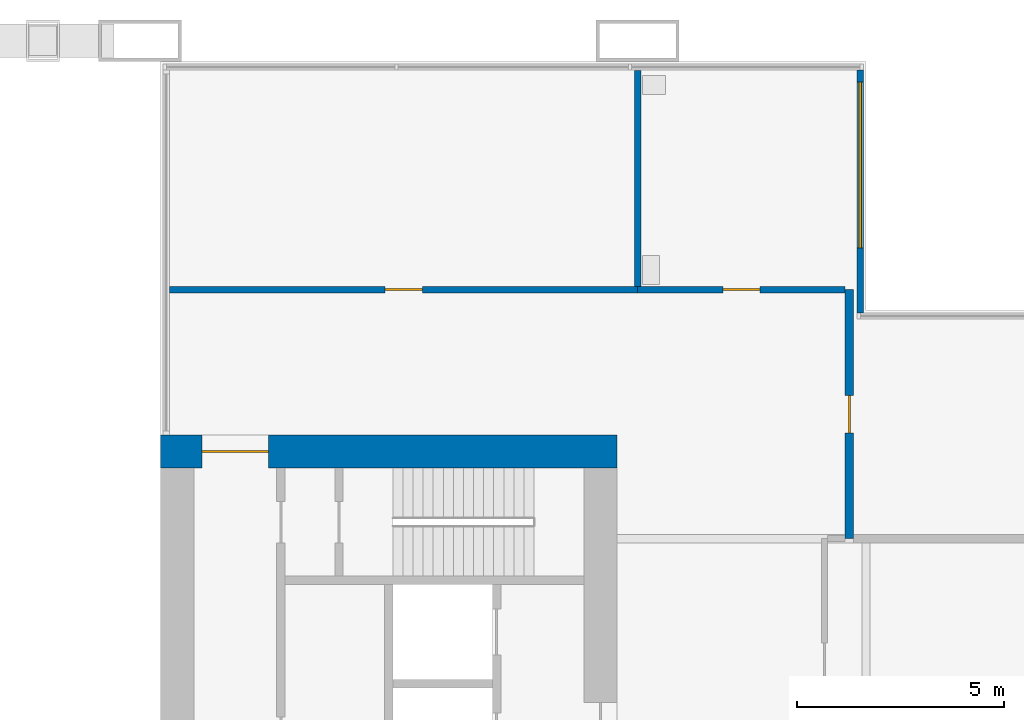
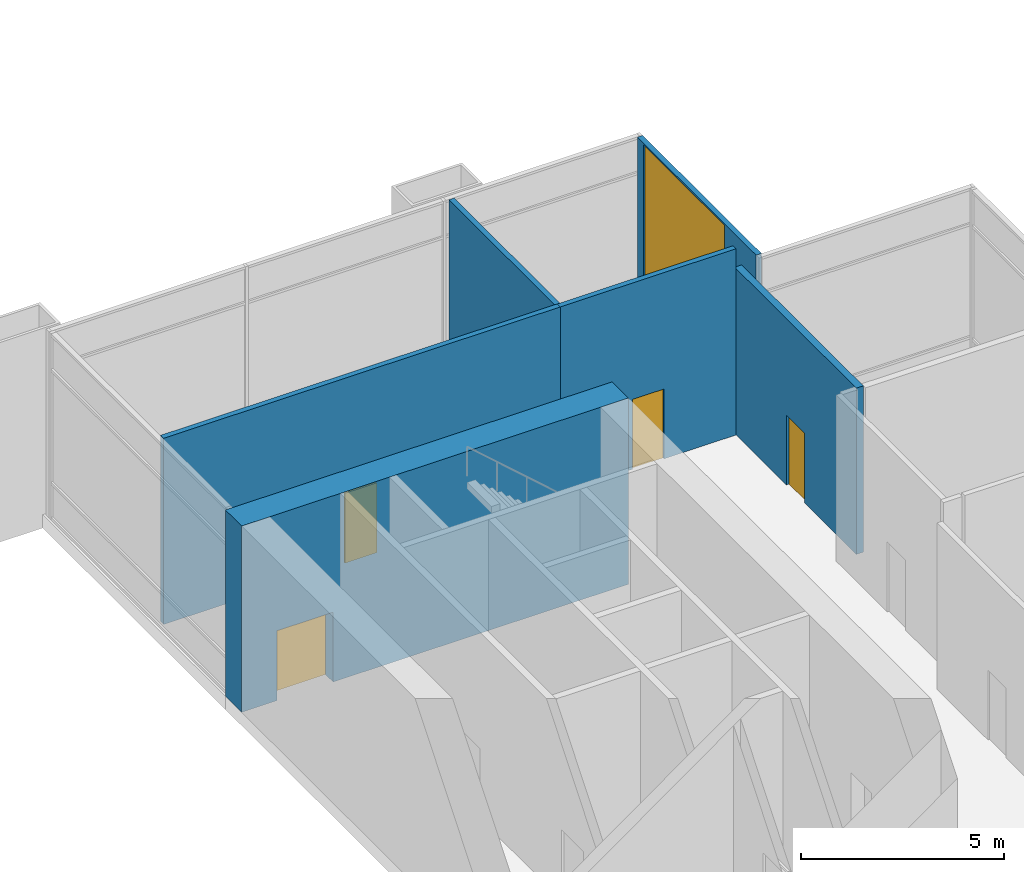
# One storey, part 27 of 30: 6 walls, 4 doors, 1 window, 5 openings.
"""IFC4 building model written with IfcOpenShell, lengths in metres."""

from ifc_helpers import new_model, si_unit, direction, frame, frame_2d, origin, place, context, subcontext, project, spatial, rectangle, extrude, material, layer, layer_set, type_object, element, fill, save


model = new_model("IFC4")

# Units and contexts
model_context = context("Model", 3, precision=1e-05, world=origin(), true_north=direction((0.0, 1.0)))
body_context = subcontext(model_context, "Body", "Model", "MODEL_VIEW")
ifc_project = project(units=[si_unit("LENGTHUNIT", "METRE"), si_unit("AREAUNIT", "SQUARE_METRE"), si_unit("VOLUMEUNIT", "CUBIC_METRE"), si_unit("PLANEANGLEUNIT", "RADIAN"), si_unit("MASSUNIT", "GRAM", prefix="KILO")], contexts=[model_context])

# Site, building, storey
site_placement = place(None, origin())
site = spatial("IfcSite", under=ifc_project, at=site_placement, CompositionType="ELEMENT")
building_placement = place(site_placement, origin())
building = spatial("IfcBuilding", under=site, at=building_placement, Name="Kitamizu Gate Tower and Museum", CompositionType="ELEMENT")
storey_placement = place(building_placement, frame((0.0, 0.0, 6.0)))
storey = spatial("IfcBuildingStorey", under=building, at=storey_placement, Name="L01", CompositionType="ELEMENT", Elevation=6.0)

# Wall, opening, door
ifc_material_1 = material(Name="Concrete Fc60", Category="concrete")
ifc_layer_1 = layer(ifc_material_1, 0.800048828125)
ifc_layer_set_1 = layer_set([ifc_layer_1], Name="Concrete Fc60")
wall_type_1 = type_object("IfcWallType", Name="Core wall 800", PredefinedType="SHEAR", material=ifc_layer_set_1)
wall_1_placement = place(storey_placement, frame((59.5, 38.10009765625, 0.0), z_axis=(0.0, 0.0, 1.0), x_axis=(-1.0, 0.0, 0.0)))
wall_1 = element("IfcWall", 1, at=wall_1_placement, inside=storey, type_object=wall_type_1, Name="Core wall EN", PredefinedType="SHEAR", context=body_context, shape_type="SweptSolid", body=[
    extrude(rectangle(XDim=11.0, YDim=0.800048828125, at=frame_2d((5.5, 0.0))), origin(), (0.0, 0.0, 1.0), 5.60009765625),
])
opening_1_placement = place(wall_1_placement, frame((8.39990234375, 0.0, 0.0)))
opening_1 = element("IfcOpeningElement", 2, at=opening_1_placement, cuts=wall_1, Name="Opening L01-035", PredefinedType="OPENING", context=body_context, shape_type="SweptSolid", body=[
    extrude(rectangle(XDim=1.60009765625, YDim=2.10009765625, at=frame_2d((0.800048828125, 1.050048828125))), frame((0.0, 0.41015625, 0.0), z_axis=(0.0, -1.0, 0.0), x_axis=(1.0, 0.0, 0.0)), (0.0, 0.0, 1.0), 0.820068359375),
])
ifc_material_2 = material(Name="Timber door set", Category="wood")
door_type_1 = type_object("IfcDoorType", Name="Entrance door 1600", OperationType="DOUBLE_DOOR_SINGLE_SWING", PredefinedType="DOOR", material=ifc_material_2)
door_1_placement = place(opening_1_placement, origin())
door_1 = element("IfcDoor", 3, at=door_1_placement, inside=storey, type_object=door_type_1, Name="Lobby door L01-035", OperationType="DOUBLE_DOOR_SINGLE_SWING", OverallHeight=2.10009765625, OverallWidth=1.60009765625, PredefinedType="DOOR", context=body_context, shape_type="SweptSolid", body=[
    extrude(rectangle(XDim=1.60009765625, YDim=2.10009765625, at=frame_2d((0.800048828125, 1.050048828125))), frame((0.0, 0.02490234375, 0.0), z_axis=(0.0, -1.0, 0.0), x_axis=(1.0, 0.0, 0.0)), (0.0, 0.0, 1.0), 0.050048828125),
])
fill(opening_1, door_1)

ifc_material_3 = material(Name="Gypsum board on galvanised stud")
ifc_layer_2 = layer(ifc_material_3, 0.14990234375)
ifc_layer_set_2 = layer_set([ifc_layer_2], Name="Gypsum board on galvanised stud")
wall_type_2 = type_object("IfcWallType", Name="Partition 150", PredefinedType="PARTITIONING", material=ifc_layer_set_2)
wall_2_placement = place(storey_placement, frame((60.0, 42.0, 0.0), z_axis=(0.0, 0.0, 1.0), x_axis=(-1.0, 0.0, 0.0)))
wall_2 = element("IfcWall", 4, at=wall_2_placement, inside=storey, type_object=wall_type_2, Name="Partition L01-022", PredefinedType="PARTITIONING", context=body_context, shape_type="SweptSolid", body=[
    extrude(rectangle(XDim=11.280029296875, YDim=0.14990234375, at=frame_2d((5.64013671875, 0.0))), origin(), (0.0, 0.0, 1.0), 5.60009765625),
])
opening_2_placement = place(wall_2_placement, frame((5.18994140625, 0.0, 0.0)))
opening_2 = element("IfcOpeningElement", 5, at=opening_2_placement, cuts=wall_2, Name="Opening L01-008", PredefinedType="OPENING", context=body_context, shape_type="SweptSolid", body=[
    extrude(rectangle(XDim=0.89990234375, YDim=2.10009765625, at=frame_2d((0.449951171875, 1.050048828125))), frame((0.0, 0.0849609375, 0.0), z_axis=(0.0, -1.0, 0.0), x_axis=(1.0, 0.0, 0.0)), (0.0, 0.0, 1.0), 0.169921875),
])
ifc_material_4 = material(Name="Timber door set", Category="wood")
door_type_2 = type_object("IfcDoorType", Name="Room door 900", OperationType="NOTDEFINED", PredefinedType="DOOR", material=ifc_material_4)
door_2_placement = place(opening_2_placement, frame((0.89990234375, 0.0, 0.0), x_axis=(-1.0, 0.0, 0.0)))
door_2 = element("IfcDoor", 6, at=door_2_placement, inside=storey, type_object=door_type_2, Name="Door L01-008", OperationType="SINGLE_SWING_RIGHT", OverallHeight=2.10009765625, OverallWidth=0.89990234375, PredefinedType="DOOR", context=body_context, shape_type="SweptSolid", body=[
    extrude(rectangle(XDim=0.89990234375, YDim=2.10009765625, at=frame_2d((0.449951171875, 1.050048828125))), frame((0.0, 0.02490234375, 0.0), z_axis=(0.0, -1.0, 0.0), x_axis=(1.0, 0.0, 0.0)), (0.0, 0.0, 1.0), 0.050048828125),
])
fill(opening_2, door_2)

wall_3_placement = place(storey_placement, frame((65.0, 42.0, 0.0), z_axis=(0.0, 0.0, 1.0), x_axis=(-1.0, 0.0, 0.0)))
wall_3 = element("IfcWall", 7, at=wall_3_placement, inside=storey, type_object=wall_type_2, Name="Partition L01-023", PredefinedType="PARTITIONING", context=body_context, shape_type="SweptSolid", body=[
    extrude(rectangle(XDim=5.0, YDim=0.14990234375, at=frame_2d((2.5, 0.0))), origin(), (0.0, 0.0, 1.0), 5.60009765625),
])
opening_3_placement = place(wall_3_placement, frame((2.050048828125, 0.0, 0.0)))
opening_3 = element("IfcOpeningElement", 8, at=opening_3_placement, cuts=wall_3, Name="Opening L01-009", PredefinedType="OPENING", context=body_context, shape_type="SweptSolid", body=[
    extrude(rectangle(XDim=0.89990234375, YDim=2.10009765625, at=frame_2d((0.449951171875, 1.050048828125))), frame((0.0, 0.0849609375, 0.0), z_axis=(0.0, -1.0, 0.0), x_axis=(1.0, 0.0, 0.0)), (0.0, 0.0, 1.0), 0.169921875),
])
door_3_placement = place(opening_3_placement, frame((0.89990234375, 0.0, 0.0), x_axis=(-1.0, 0.0, 0.0)))
door_3 = element("IfcDoor", 9, at=door_3_placement, inside=storey, type_object=door_type_2, Name="Door L01-009", OperationType="SINGLE_SWING_LEFT", OverallHeight=2.10009765625, OverallWidth=0.89990234375, PredefinedType="DOOR", context=body_context, shape_type="SweptSolid", body=[
    extrude(rectangle(XDim=0.89990234375, YDim=2.10009765625, at=frame_2d((0.449951171875, 1.050048828125))), frame((0.0, 0.02490234375, 0.0), z_axis=(0.0, -1.0, 0.0), x_axis=(1.0, 0.0, 0.0)), (0.0, 0.0, 1.0), 0.050048828125),
])
fill(opening_3, door_3)

# Wall
wall_4_placement = place(storey_placement, frame((60.0, 42.074951171875, 0.0), z_axis=(0.0, 0.0, 1.0), x_axis=(0.0, 1.0, 0.0)))
element("IfcWall", 10, at=wall_4_placement, inside=storey, type_object=wall_type_2, Name="Partition L01-033", PredefinedType="PARTITIONING", context=body_context, shape_type="SweptSolid", body=[
    extrude(rectangle(XDim=5.205078125, YDim=0.14990234375, at=frame_2d((2.6025390625, 0.0))), origin(), (0.0, 0.0, 1.0), 5.60009765625),
])

# Wall, opening, door
ifc_material_5 = material(Name="Gypsum board on galvanised stud")
ifc_layer_3 = layer(ifc_material_5, 0.199951171875)
ifc_layer_set_3 = layer_set([ifc_layer_3], Name="Gypsum board on galvanised stud")
wall_type_3 = type_object("IfcWallType", Name="Partition 200", PredefinedType="PARTITIONING", material=ifc_layer_set_3)
wall_5_placement = place(storey_placement, frame((65.10009765625, 36.0, 0.0), z_axis=(0.0, 0.0, 1.0), x_axis=(0.0, 1.0, 0.0)))
wall_5 = element("IfcWall", 11, at=wall_5_placement, inside=storey, type_object=wall_type_3, Name="Partition L01-021", PredefinedType="PARTITIONING", context=body_context, shape_type="SweptSolid", body=[
    extrude(rectangle(XDim=6.0, YDim=0.199951171875, at=frame_2d((3.0, 0.0))), origin(), (0.0, 0.0, 1.0), 5.0),
])
opening_4_placement = place(wall_5_placement, frame((2.550048828125, 0.0, 0.0)))
opening_4 = element("IfcOpeningElement", 12, at=opening_4_placement, cuts=wall_5, Name="Opening L01-007", PredefinedType="OPENING", context=body_context, shape_type="SweptSolid", body=[
    extrude(rectangle(XDim=0.89990234375, YDim=2.10009765625, at=frame_2d((0.449951171875, 1.050048828125))), frame((0.0, 0.10986328125, 0.0), z_axis=(0.0, -1.0, 0.0), x_axis=(1.0, 0.0, 0.0)), (0.0, 0.0, 1.0), 0.219970703125),
])
ifc_material_6 = material(Name="Timber door set", Category="wood")
door_type_3 = type_object("IfcDoorType", Name="Store door 900", OperationType="NOTDEFINED", PredefinedType="DOOR", material=ifc_material_6)
door_4_placement = place(opening_4_placement, frame((0.89990234375, 0.0, 0.0), x_axis=(-1.0, 0.0, 0.0)))
door_4 = element("IfcDoor", 13, at=door_4_placement, inside=storey, type_object=door_type_3, Name="Store door L01-007", OperationType="SINGLE_SWING_LEFT", OverallHeight=2.10009765625, OverallWidth=0.89990234375, PredefinedType="DOOR", context=body_context, shape_type="SweptSolid", body=[
    extrude(rectangle(XDim=0.89990234375, YDim=2.10009765625, at=frame_2d((0.449951171875, 1.050048828125))), frame((0.0, 0.02490234375, 0.0), z_axis=(0.0, -1.0, 0.0), x_axis=(1.0, 0.0, 0.0)), (0.0, 0.0, 1.0), 0.050048828125),
])
fill(opening_4, door_4)

# Wall, opening, window
ifc_material_7 = material(Name="Bronze anodised aluminium frame with insulated spandrel and tinted glass", Category="aluminium")
ifc_layer_4 = layer(ifc_material_7, 0.14990234375)
ifc_layer_set_4 = layer_set([ifc_layer_4], Name="Bronze anodised aluminium frame with insulated spandrel and tinted glass")
wall_type_4 = type_object("IfcWallType", Name="WINDOW WALL 150 BRONZE FRAME EI 60", PredefinedType="ELEMENTEDWALL", material=ifc_layer_set_4)
wall_6_placement = place(storey_placement, frame((65.364990234375, 41.43994140625, 0.0), z_axis=(0.0, 0.0, 1.0), x_axis=(0.0, 1.0, 0.0)))
wall_6 = element("IfcWall", 14, at=wall_6_placement, inside=storey, type_object=wall_type_4, Name="Window wall east L01", PredefinedType="ELEMENTEDWALL", context=body_context, shape_type="SweptSolid", body=[
    extrude(rectangle(XDim=5.85009765625, YDim=0.14990234375, at=frame_2d((2.925048828125, 0.0))), origin(), (0.0, 0.0, 1.0), 5.60009765625),
])
opening_5_placement = place(wall_6_placement, frame((1.56005859375, 0.0, 0.449951171875)))
opening_5 = element("IfcOpeningElement", 15, at=opening_5_placement, cuts=wall_6, Name="Opening W22", PredefinedType="OPENING", context=body_context, shape_type="SweptSolid", body=[
    extrude(rectangle(XDim=4.0, YDim=5.10009765625, at=frame_2d((2.0, 2.550048828125))), frame((0.0, 0.0849609375, 0.0), z_axis=(0.0, -1.0, 0.0), x_axis=(1.0, 0.0, 0.0)), (0.0, 0.0, 1.0), 0.169921875),
])
ifc_material_8 = material(Name="Bronze anodised aluminium frame, tinted triple glazing", Category="aluminium")
window_type = type_object("IfcWindowType", Name="WINDOW 4000 x 5100 SILL 450", PartitioningType="SINGLE_PANEL", PredefinedType="WINDOW", material=ifc_material_8)
window_placement = place(opening_5_placement, origin())
window = element("IfcWindow", 16, at=window_placement, inside=storey, type_object=window_type, Name="Window W22 L01", OverallHeight=5.10009765625, OverallWidth=4.0, PartitioningType="SINGLE_PANEL", PredefinedType="WINDOW", context=body_context, shape_type="SweptSolid", body=[
    extrude(rectangle(XDim=4.0, YDim=5.10009765625, at=frame_2d((2.0, 2.550048828125))), frame((0.0, 0.030029296875, 0.0), z_axis=(0.0, -1.0, 0.0), x_axis=(1.0, 0.0, 0.0)), (0.0, 0.0, 1.0), 0.06005859375),
])
fill(opening_5, window)

save(model, "model.ifc")
